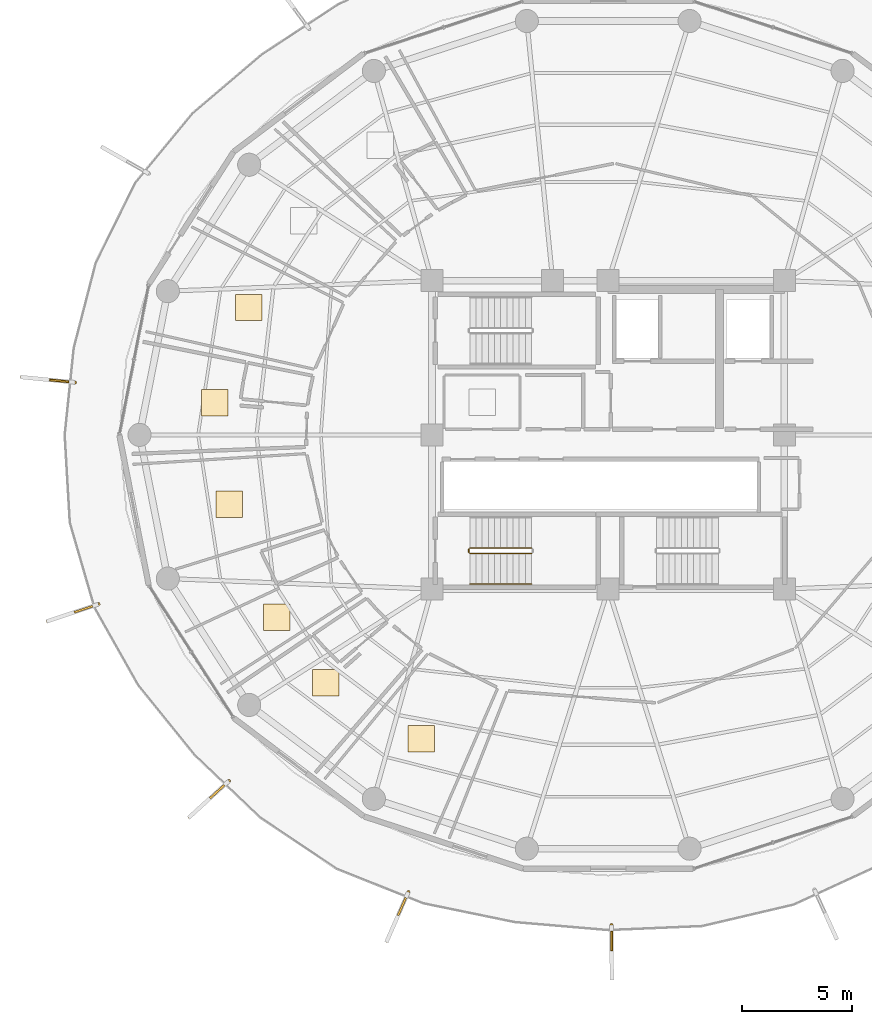
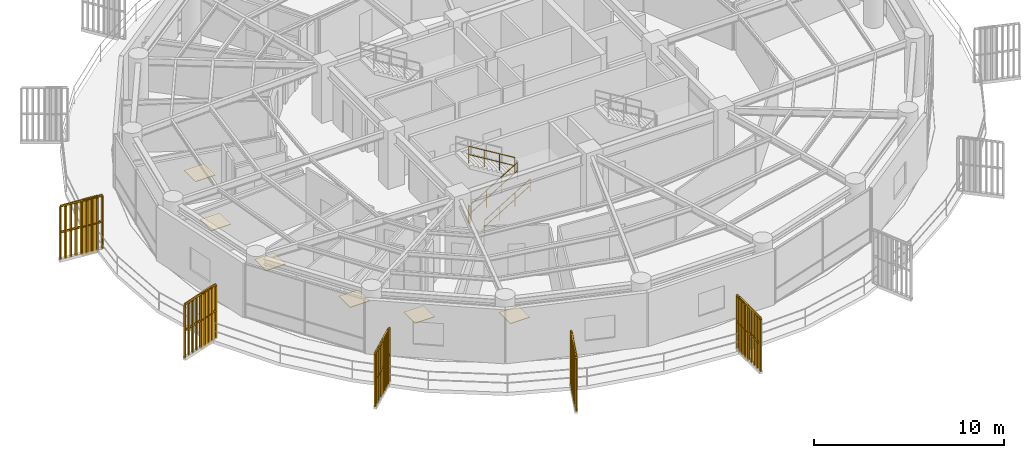
# One storey, part 28 of 31: 9 railings, 6 coverings, 5 shading devices.
"""IFC4 building model written with IfcOpenShell, lengths in metres."""

from ifc_helpers import new_model, si_unit, direction, frame, origin, origin_2d, place, context, subcontext, project, spatial, polyline, rectangle, outline, extrude, source, transform, mapped, material, layer, layer_set, type_object, element, save


model = new_model("IFC4")

# Units and contexts
model_context = context("Model", 3, precision=1e-05, world=origin(), true_north=direction((0.0, 1.0)))
body_context = subcontext(model_context, "Body", "Model", "MODEL_VIEW")
ifc_project = project(units=[si_unit("LENGTHUNIT", "METRE"), si_unit("AREAUNIT", "SQUARE_METRE"), si_unit("VOLUMEUNIT", "CUBIC_METRE"), si_unit("PLANEANGLEUNIT", "RADIAN"), si_unit("MASSUNIT", "GRAM", prefix="KILO")], contexts=[model_context])

# Site, building, storey
site_placement = place(None, origin())
site = spatial("IfcSite", under=ifc_project, at=site_placement, CompositionType="ELEMENT")
building_placement = place(site_placement, origin())
building = spatial("IfcBuilding", under=site, at=building_placement, Name="Kelanora Arch Commons", CompositionType="ELEMENT")
storey_placement = place(building_placement, frame((0.0, 0.0, 230.699951171875)))
storey = spatial("IfcBuildingStorey", under=building, at=storey_placement, Name="L59", CompositionType="ELEMENT", Elevation=230.699951171875)

# Railings
ifc_material_1 = material(Name="Anodised bronze vertical shading fin rib assembly")
railing_type_1 = type_object("IfcRailingType", Name="RAIL-FIN-BRZ", PredefinedType="BALUSTRADE", material=ifc_material_1)
railing_1_placement = place(storey_placement, frame((49.789306640625, 60.38232421875, -0.02001953125)))
element("IfcRailing", 1, at=railing_1_placement, inside=storey, type_object=railing_type_1, Name="Sweeping Bronze Vertical Fin Blade L59-09", PredefinedType="BALUSTRADE", context=body_context, shape_type="SweptSolid", body=[
    extrude(outline(polyline([(0.06982421875, 0.0), (0.034912109375, 0.060546875), (-0.034912109375, 0.060546875), (-0.06982421875, 0.0), (-0.034912109375, -0.060546875), (0.034912109375, -0.060546875), (0.06982421875, 0.0)])), frame((0.0, 0.0, 3.419921875), z_axis=(-0.995186328465, 0.098000875695, 0.0), x_axis=(-0.098000875695, -0.995186328465, 0.0)), (0.0, 0.0, 1.0), 2.428955078125),
    extrude(outline(polyline([(0.06982421875, 0.0), (0.034912109375, 0.060546875), (-0.034912109375, 0.060546875), (-0.06982421875, 0.0), (-0.034912109375, -0.060546875), (0.034912109375, -0.060546875), (0.06982421875, 0.0)])), frame((0.0, 0.0, 1.7451171875), z_axis=(-0.995186328465, 0.098000875695, 0.0), x_axis=(-0.098000875695, -0.995186328465, 0.0)), (0.0, 0.0, 1.0), 2.428955078125),
    extrude(outline(polyline([(0.080078125, 0.0), (0.0400390625, 0.0693359375), (-0.0400390625, 0.0693359375), (-0.080078125, 0.0), (-0.0400390625, -0.0693359375), (0.0400390625, -0.0693359375), (0.080078125, 0.0)])), origin(), (0.0, 0.0, 1.0), 3.35009765625),
    extrude(outline(polyline([(0.080078125, 0.0), (0.0400390625, 0.0693359375), (-0.0400390625, 0.0693359375), (-0.080078125, 0.0), (-0.0400390625, -0.0693359375), (0.0400390625, -0.0693359375), (0.080078125, 0.0)])), frame((-0.30224609375, 0.02978515625, 0.0)), (0.0, 0.0, 1.0), 3.35009765625),
    extrude(outline(polyline([(0.080078125, 0.0), (0.0400390625, 0.0693359375), (-0.0400390625, 0.0693359375), (-0.080078125, 0.0), (-0.0400390625, -0.0693359375), (0.0400390625, -0.0693359375), (0.080078125, 0.0)])), frame((-0.604248046875, 0.0595703125, 0.0)), (0.0, 0.0, 1.0), 3.35009765625),
    extrude(outline(polyline([(0.080078125, 0.0), (0.0400390625, 0.0693359375), (-0.0400390625, 0.0693359375), (-0.080078125, 0.0), (-0.0400390625, -0.0693359375), (0.0400390625, -0.0693359375), (0.080078125, 0.0)])), frame((-0.906494140625, 0.08935546875, 0.0)), (0.0, 0.0, 1.0), 3.35009765625),
    extrude(outline(polyline([(0.080078125, 0.0), (0.0400390625, 0.0693359375), (-0.0400390625, 0.0693359375), (-0.080078125, 0.0), (-0.0400390625, -0.0693359375), (0.0400390625, -0.0693359375), (0.080078125, 0.0)])), frame((-1.20849609375, 0.119140625, 0.0)), (0.0, 0.0, 1.0), 3.35009765625),
    extrude(outline(polyline([(0.080078125, 0.0), (0.0400390625, 0.0693359375), (-0.0400390625, 0.0693359375), (-0.080078125, 0.0), (-0.0400390625, -0.0693359375), (0.0400390625, -0.0693359375), (0.080078125, 0.0)])), frame((-1.5107421875, 0.148681640625, 0.0)), (0.0, 0.0, 1.0), 3.35009765625),
    extrude(outline(polyline([(0.080078125, 0.0), (0.0400390625, 0.0693359375), (-0.0400390625, 0.0693359375), (-0.080078125, 0.0), (-0.0400390625, -0.0693359375), (0.0400390625, -0.0693359375), (0.080078125, 0.0)])), frame((-1.81298828125, 0.178466796875, 0.0)), (0.0, 0.0, 1.0), 3.35009765625),
    extrude(outline(polyline([(0.080078125, 0.0), (0.0400390625, 0.0693359375), (-0.0400390625, 0.0693359375), (-0.080078125, 0.0), (-0.0400390625, -0.0693359375), (0.0400390625, -0.0693359375), (0.080078125, 0.0)])), frame((-2.114990234375, 0.208251953125, 0.0)), (0.0, 0.0, 1.0), 3.35009765625),
    extrude(outline(polyline([(0.080078125, 0.0), (0.0400390625, 0.0693359375), (-0.0400390625, 0.0693359375), (-0.080078125, 0.0), (-0.0400390625, -0.0693359375), (0.0400390625, -0.0693359375), (0.080078125, 0.0)])), frame((-2.417236328125, 0.238037109375, 0.0)), (0.0, 0.0, 1.0), 3.35009765625),
])
railing_2_placement = place(storey_placement, frame((50.85791015625, 50.310791015625, -0.02001953125)))
element("IfcRailing", 2, at=railing_2_placement, inside=storey, type_object=railing_type_1, Name="Sweeping Bronze Vertical Fin Blade L59-10", PredefinedType="BALUSTRADE", context=body_context, shape_type="SweptSolid", body=[
    extrude(outline(polyline([(0.06982421875, 0.0), (0.034912109375, 0.060546875), (-0.034912109375, 0.060546875), (-0.06982421875, 0.0), (-0.034912109375, -0.060546875), (0.034912109375, -0.060546875), (0.06982421875, 0.0)])), frame((0.0, 0.0, 3.419921875), z_axis=(-0.948984418802, -0.315322965976, 0.0), x_axis=(0.315322965976, -0.948984418802, 0.0)), (0.0, 0.0, 1.0), 2.428955078125),
    extrude(outline(polyline([(0.06982421875, 0.0), (0.034912109375, 0.060546875), (-0.034912109375, 0.060546875), (-0.06982421875, 0.0), (-0.034912109375, -0.060546875), (0.034912109375, -0.060546875), (0.06982421875, 0.0)])), frame((0.0, 0.0, 1.7451171875), z_axis=(-0.948984418802, -0.315322965976, 0.0), x_axis=(0.315322965976, -0.948984418802, 0.0)), (0.0, 0.0, 1.0), 2.428955078125),
    extrude(outline(polyline([(0.080078125, 0.0), (0.0400390625, 0.0693359375), (-0.0400390625, 0.0693359375), (-0.080078125, 0.0), (-0.0400390625, -0.0693359375), (0.0400390625, -0.0693359375), (0.080078125, 0.0)])), origin(), (0.0, 0.0, 1.0), 3.35009765625),
    extrude(outline(polyline([(0.080078125, 0.0), (0.0400390625, 0.0693359375), (-0.0400390625, 0.0693359375), (-0.080078125, 0.0), (-0.0400390625, -0.0693359375), (0.0400390625, -0.0693359375), (0.080078125, 0.0)])), frame((-0.2880859375, -0.095703125, 0.0)), (0.0, 0.0, 1.0), 3.35009765625),
    extrude(outline(polyline([(0.080078125, 0.0), (0.0400390625, 0.0693359375), (-0.0400390625, 0.0693359375), (-0.080078125, 0.0), (-0.0400390625, -0.0693359375), (0.0400390625, -0.0693359375), (0.080078125, 0.0)])), frame((-0.576171875, -0.19140625, 0.0)), (0.0, 0.0, 1.0), 3.35009765625),
    extrude(outline(polyline([(0.080078125, 0.0), (0.0400390625, 0.0693359375), (-0.0400390625, 0.0693359375), (-0.080078125, 0.0), (-0.0400390625, -0.0693359375), (0.0400390625, -0.0693359375), (0.080078125, 0.0)])), frame((-0.8642578125, -0.287109375, 0.0)), (0.0, 0.0, 1.0), 3.35009765625),
    extrude(outline(polyline([(0.080078125, 0.0), (0.0400390625, 0.0693359375), (-0.0400390625, 0.0693359375), (-0.080078125, 0.0), (-0.0400390625, -0.0693359375), (0.0400390625, -0.0693359375), (0.080078125, 0.0)])), frame((-1.15234375, -0.3828125, 0.0)), (0.0, 0.0, 1.0), 3.35009765625),
    extrude(outline(polyline([(0.080078125, 0.0), (0.0400390625, 0.0693359375), (-0.0400390625, 0.0693359375), (-0.080078125, 0.0), (-0.0400390625, -0.0693359375), (0.0400390625, -0.0693359375), (0.080078125, 0.0)])), frame((-1.440673828125, -0.478759765625, 0.0)), (0.0, 0.0, 1.0), 3.35009765625),
    extrude(outline(polyline([(0.080078125, 0.0), (0.0400390625, 0.0693359375), (-0.0400390625, 0.0693359375), (-0.080078125, 0.0), (-0.0400390625, -0.0693359375), (0.0400390625, -0.0693359375), (0.080078125, 0.0)])), frame((-1.728759765625, -0.574462890625, 0.0)), (0.0, 0.0, 1.0), 3.35009765625),
    extrude(outline(polyline([(0.080078125, 0.0), (0.0400390625, 0.0693359375), (-0.0400390625, 0.0693359375), (-0.080078125, 0.0), (-0.0400390625, -0.0693359375), (0.0400390625, -0.0693359375), (0.080078125, 0.0)])), frame((-2.016845703125, -0.670166015625, 0.0)), (0.0, 0.0, 1.0), 3.35009765625),
    extrude(outline(polyline([(0.080078125, 0.0), (0.0400390625, 0.0693359375), (-0.0400390625, 0.0693359375), (-0.080078125, 0.0), (-0.0400390625, -0.0693359375), (0.0400390625, -0.0693359375), (0.080078125, 0.0)])), frame((-2.304931640625, -0.765869140625, 0.0)), (0.0, 0.0, 1.0), 3.35009765625),
])
railing_3_placement = place(storey_placement, frame((56.77978515625, 42.286865234375, -0.02001953125)))
element("IfcRailing", 3, at=railing_3_placement, inside=storey, type_object=railing_type_1, Name="Sweeping Bronze Vertical Fin Blade L59-11", PredefinedType="BALUSTRADE", context=body_context, shape_type="SweptSolid", body=[
    extrude(outline(polyline([(0.06982421875, 0.0), (0.034912109375, 0.060546875), (-0.034912109375, 0.060546875), (-0.06982421875, 0.0), (-0.034912109375, -0.060546875), (0.034912109375, -0.060546875), (0.06982421875, 0.0)])), frame((0.0, 0.0, 3.419921875), z_axis=(-0.738683486658, -0.674052450881, 0.0), x_axis=(0.674052450881, -0.738683486658, 0.0)), (0.0, 0.0, 1.0), 2.428955078125),
    extrude(outline(polyline([(0.06982421875, 0.0), (0.034912109375, 0.060546875), (-0.034912109375, 0.060546875), (-0.06982421875, 0.0), (-0.034912109375, -0.060546875), (0.034912109375, -0.060546875), (0.06982421875, 0.0)])), frame((0.0, 0.0, 1.7451171875), z_axis=(-0.738683486658, -0.674052450881, 0.0), x_axis=(0.674052450881, -0.738683486658, 0.0)), (0.0, 0.0, 1.0), 2.428955078125),
    extrude(outline(polyline([(0.080078125, 0.0), (0.0400390625, 0.0693359375), (-0.0400390625, 0.0693359375), (-0.080078125, 0.0), (-0.0400390625, -0.0693359375), (0.0400390625, -0.0693359375), (0.080078125, 0.0)])), origin(), (0.0, 0.0, 1.0), 3.35009765625),
    extrude(outline(polyline([(0.080078125, 0.0), (0.0400390625, 0.0693359375), (-0.0400390625, 0.0693359375), (-0.080078125, 0.0), (-0.0400390625, -0.0693359375), (0.0400390625, -0.0693359375), (0.080078125, 0.0)])), frame((-0.224365234375, -0.20458984375, 0.0)), (0.0, 0.0, 1.0), 3.35009765625),
    extrude(outline(polyline([(0.080078125, 0.0), (0.0400390625, 0.0693359375), (-0.0400390625, 0.0693359375), (-0.080078125, 0.0), (-0.0400390625, -0.0693359375), (0.0400390625, -0.0693359375), (0.080078125, 0.0)])), frame((-0.448486328125, -0.4091796875, 0.0)), (0.0, 0.0, 1.0), 3.35009765625),
    extrude(outline(polyline([(0.080078125, 0.0), (0.0400390625, 0.0693359375), (-0.0400390625, 0.0693359375), (-0.080078125, 0.0), (-0.0400390625, -0.0693359375), (0.0400390625, -0.0693359375), (0.080078125, 0.0)])), frame((-0.6728515625, -0.614013671875, 0.0)), (0.0, 0.0, 1.0), 3.35009765625),
    extrude(outline(polyline([(0.080078125, 0.0), (0.0400390625, 0.0693359375), (-0.0400390625, 0.0693359375), (-0.080078125, 0.0), (-0.0400390625, -0.0693359375), (0.0400390625, -0.0693359375), (0.080078125, 0.0)])), frame((-0.89697265625, -0.818603515625, 0.0)), (0.0, 0.0, 1.0), 3.35009765625),
    extrude(outline(polyline([(0.080078125, 0.0), (0.0400390625, 0.0693359375), (-0.0400390625, 0.0693359375), (-0.080078125, 0.0), (-0.0400390625, -0.0693359375), (0.0400390625, -0.0693359375), (0.080078125, 0.0)])), frame((-1.121337890625, -1.023193359375, 0.0)), (0.0, 0.0, 1.0), 3.35009765625),
    extrude(outline(polyline([(0.080078125, 0.0), (0.0400390625, 0.0693359375), (-0.0400390625, 0.0693359375), (-0.080078125, 0.0), (-0.0400390625, -0.0693359375), (0.0400390625, -0.0693359375), (0.080078125, 0.0)])), frame((-1.345703125, -1.22802734375, 0.0)), (0.0, 0.0, 1.0), 3.35009765625),
    extrude(outline(polyline([(0.080078125, 0.0), (0.0400390625, 0.0693359375), (-0.0400390625, 0.0693359375), (-0.080078125, 0.0), (-0.0400390625, -0.0693359375), (0.0400390625, -0.0693359375), (0.080078125, 0.0)])), frame((-1.56982421875, -1.4326171875, 0.0)), (0.0, 0.0, 1.0), 3.35009765625),
    extrude(outline(polyline([(0.080078125, 0.0), (0.0400390625, 0.0693359375), (-0.0400390625, 0.0693359375), (-0.080078125, 0.0), (-0.0400390625, -0.0693359375), (0.0400390625, -0.0693359375), (0.080078125, 0.0)])), frame((-1.794189453125, -1.63720703125, 0.0)), (0.0, 0.0, 1.0), 3.35009765625),
])
railing_4_placement = place(storey_placement, frame((64.923095703125, 37.243408203125, -0.02001953125)))
element("IfcRailing", 4, at=railing_4_placement, inside=storey, type_object=railing_type_1, Name="Sweeping Bronze Vertical Fin Blade L59-12", PredefinedType="BALUSTRADE", context=body_context, shape_type="SweptSolid", body=[
    extrude(outline(polyline([(0.06982421875, 0.0), (0.034912109375, 0.060546875), (-0.034912109375, 0.060546875), (-0.06982421875, 0.0), (-0.034912109375, -0.060546875), (0.034912109375, -0.060546875), (0.06982421875, 0.0)])), frame((0.0, 0.0, 3.419921875), z_axis=(-0.400702812126, -0.916208085729, 0.0), x_axis=(0.916208085729, -0.400702812126, 0.0)), (0.0, 0.0, 1.0), 2.4287109375),
    extrude(outline(polyline([(0.06982421875, 0.0), (0.034912109375, 0.060546875), (-0.034912109375, 0.060546875), (-0.06982421875, 0.0), (-0.034912109375, -0.060546875), (0.034912109375, -0.060546875), (0.06982421875, 0.0)])), frame((0.0, 0.0, 1.7451171875), z_axis=(-0.400702812126, -0.916208085729, 0.0), x_axis=(0.916208085729, -0.400702812126, 0.0)), (0.0, 0.0, 1.0), 2.4287109375),
    extrude(outline(polyline([(0.080078125, 0.0), (0.0400390625, 0.0693359375), (-0.0400390625, 0.0693359375), (-0.080078125, 0.0), (-0.0400390625, -0.0693359375), (0.0400390625, -0.0693359375), (0.080078125, 0.0)])), origin(), (0.0, 0.0, 1.0), 3.35009765625),
    extrude(outline(polyline([(0.080078125, 0.0), (0.0400390625, 0.0693359375), (-0.0400390625, 0.0693359375), (-0.080078125, 0.0), (-0.0400390625, -0.0693359375), (0.0400390625, -0.0693359375), (0.080078125, 0.0)])), frame((-0.12158203125, -0.278076171875, 0.0)), (0.0, 0.0, 1.0), 3.35009765625),
    extrude(outline(polyline([(0.080078125, 0.0), (0.0400390625, 0.0693359375), (-0.0400390625, 0.0693359375), (-0.080078125, 0.0), (-0.0400390625, -0.0693359375), (0.0400390625, -0.0693359375), (0.080078125, 0.0)])), frame((-0.2431640625, -0.55615234375, 0.0)), (0.0, 0.0, 1.0), 3.35009765625),
    extrude(outline(polyline([(0.080078125, 0.0), (0.0400390625, 0.0693359375), (-0.0400390625, 0.0693359375), (-0.080078125, 0.0), (-0.0400390625, -0.0693359375), (0.0400390625, -0.0693359375), (0.080078125, 0.0)])), frame((-0.364990234375, -0.83447265625, 0.0)), (0.0, 0.0, 1.0), 3.35009765625),
    extrude(outline(polyline([(0.080078125, 0.0), (0.0400390625, 0.0693359375), (-0.0400390625, 0.0693359375), (-0.080078125, 0.0), (-0.0400390625, -0.0693359375), (0.0400390625, -0.0693359375), (0.080078125, 0.0)])), frame((-0.486572265625, -1.112548828125, 0.0)), (0.0, 0.0, 1.0), 3.35009765625),
    extrude(outline(polyline([(0.080078125, 0.0), (0.0400390625, 0.0693359375), (-0.0400390625, 0.0693359375), (-0.080078125, 0.0), (-0.0400390625, -0.0693359375), (0.0400390625, -0.0693359375), (0.080078125, 0.0)])), frame((-0.608154296875, -1.390625, 0.0)), (0.0, 0.0, 1.0), 3.35009765625),
    extrude(outline(polyline([(0.080078125, 0.0), (0.0400390625, 0.0693359375), (-0.0400390625, 0.0693359375), (-0.080078125, 0.0), (-0.0400390625, -0.0693359375), (0.0400390625, -0.0693359375), (0.080078125, 0.0)])), frame((-0.72998046875, -1.6689453125, 0.0)), (0.0, 0.0, 1.0), 3.35009765625),
    extrude(outline(polyline([(0.080078125, 0.0), (0.0400390625, 0.0693359375), (-0.0400390625, 0.0693359375), (-0.080078125, 0.0), (-0.0400390625, -0.0693359375), (0.0400390625, -0.0693359375), (0.080078125, 0.0)])), frame((-0.8515625, -1.947021484375, 0.0)), (0.0, 0.0, 1.0), 3.35009765625),
    extrude(outline(polyline([(0.080078125, 0.0), (0.0400390625, 0.0693359375), (-0.0400390625, 0.0693359375), (-0.080078125, 0.0), (-0.0400390625, -0.0693359375), (0.0400390625, -0.0693359375), (0.080078125, 0.0)])), frame((-0.97314453125, -2.22509765625, 0.0)), (0.0, 0.0, 1.0), 3.35009765625),
])
railing_5_placement = place(storey_placement, frame((74.147705078125, 35.74658203125, -0.02001953125)))
element("IfcRailing", 5, at=railing_5_placement, inside=storey, type_object=railing_type_1, Name="Sweeping Bronze Vertical Fin Blade L59-13", PredefinedType="BALUSTRADE", context=body_context, shape_type="SweptSolid", body=[
    extrude(outline(polyline([(0.06982421875, 0.0), (0.034912109375, 0.060546875), (-0.034912109375, 0.060546875), (-0.06982421875, 0.0), (-0.034912109375, -0.060546875), (0.034912109375, -0.060546875), (0.06982421875, 0.0)])), frame((0.0, 0.0, 3.419921875), z_axis=(0.006634353388, -0.999977992435, 0.0), x_axis=(0.999977992435, 0.006634353388, 0.0)), (0.0, 0.0, 1.0), 2.4287109375),
    extrude(outline(polyline([(0.06982421875, 0.0), (0.034912109375, 0.060546875), (-0.034912109375, 0.060546875), (-0.06982421875, 0.0), (-0.034912109375, -0.060546875), (0.034912109375, -0.060546875), (0.06982421875, 0.0)])), frame((0.0, 0.0, 1.7451171875), z_axis=(0.006634353388, -0.999977992435, 0.0), x_axis=(0.999977992435, 0.006634353388, 0.0)), (0.0, 0.0, 1.0), 2.4287109375),
    extrude(outline(polyline([(0.080078125, 0.0), (0.0400390625, 0.0693359375), (-0.0400390625, 0.0693359375), (-0.080078125, 0.0), (-0.0400390625, -0.0693359375), (0.0400390625, -0.0693359375), (0.080078125, 0.0)])), origin(), (0.0, 0.0, 1.0), 3.35009765625),
    extrude(outline(polyline([(0.080078125, 0.0), (0.0400390625, 0.0693359375), (-0.0400390625, 0.0693359375), (-0.080078125, 0.0), (-0.0400390625, -0.0693359375), (0.0400390625, -0.0693359375), (0.080078125, 0.0)])), frame((0.001953125, -0.3037109375, 0.0)), (0.0, 0.0, 1.0), 3.35009765625),
    extrude(outline(polyline([(0.080078125, 0.0), (0.0400390625, 0.0693359375), (-0.0400390625, 0.0693359375), (-0.080078125, 0.0), (-0.0400390625, -0.0693359375), (0.0400390625, -0.0693359375), (0.080078125, 0.0)])), frame((0.00390625, -0.607177734375, 0.0)), (0.0, 0.0, 1.0), 3.35009765625),
    extrude(outline(polyline([(0.080078125, 0.0), (0.0400390625, 0.0693359375), (-0.0400390625, 0.0693359375), (-0.080078125, 0.0), (-0.0400390625, -0.0693359375), (0.0400390625, -0.0693359375), (0.080078125, 0.0)])), frame((0.006103515625, -0.91064453125, 0.0)), (0.0, 0.0, 1.0), 3.35009765625),
    extrude(outline(polyline([(0.080078125, 0.0), (0.0400390625, 0.0693359375), (-0.0400390625, 0.0693359375), (-0.080078125, 0.0), (-0.0400390625, -0.0693359375), (0.0400390625, -0.0693359375), (0.080078125, 0.0)])), frame((0.008056640625, -1.21435546875, 0.0)), (0.0, 0.0, 1.0), 3.35009765625),
    extrude(outline(polyline([(0.080078125, 0.0), (0.0400390625, 0.0693359375), (-0.0400390625, 0.0693359375), (-0.080078125, 0.0), (-0.0400390625, -0.0693359375), (0.0400390625, -0.0693359375), (0.080078125, 0.0)])), frame((0.010009765625, -1.51806640625, 0.0)), (0.0, 0.0, 1.0), 3.35009765625),
    extrude(outline(polyline([(0.080078125, 0.0), (0.0400390625, 0.0693359375), (-0.0400390625, 0.0693359375), (-0.080078125, 0.0), (-0.0400390625, -0.0693359375), (0.0400390625, -0.0693359375), (0.080078125, 0.0)])), frame((0.01220703125, -1.821533203125, 0.0)), (0.0, 0.0, 1.0), 3.35009765625),
    extrude(outline(polyline([(0.080078125, 0.0), (0.0400390625, 0.0693359375), (-0.0400390625, 0.0693359375), (-0.080078125, 0.0), (-0.0400390625, -0.0693359375), (0.0400390625, -0.0693359375), (0.080078125, 0.0)])), frame((0.01416015625, -2.125, 0.0)), (0.0, 0.0, 1.0), 3.35009765625),
    extrude(outline(polyline([(0.080078125, 0.0), (0.0400390625, 0.0693359375), (-0.0400390625, 0.0693359375), (-0.080078125, 0.0), (-0.0400390625, -0.0693359375), (0.0400390625, -0.0693359375), (0.080078125, 0.0)])), frame((0.01611328125, -2.4287109375, 0.0)), (0.0, 0.0, 1.0), 3.35009765625),
])
ifc_material_2 = material(Name="Painted steel stair well guard", Category="steel")
railing_type_2 = type_object("IfcRailingType", Name="RAIL-STAIR-GRD", PredefinedType="GUARDRAIL", material=ifc_material_2)
railing_6_placement = place(storey_placement, frame((67.719970703125, 52.610107421875, 0.17041015625)))
element("IfcRailing", 6, at=railing_6_placement, inside=storey, type_object=railing_type_2, Name="L59 ST-T3 stair guard 1", PredefinedType="GUARDRAIL", context=body_context, shape_type="SweptSolid", body=[
    extrude(outline(polyline([(0.02392578125, 0.0), (0.011962890625, 0.020751953125), (-0.011962890625, 0.020751953125), (-0.02392578125, 0.0), (-0.011962890625, -0.020751953125), (0.011962890625, -0.020751953125), (0.02392578125, 0.0)])), frame((0.0, 0.0, 1.076171875), z_axis=(0.854169791009, 0.0, 0.51999420009), x_axis=(0.0, 1.0, 0.0)), (0.0, 0.0, 1.0), 3.278076171875),
    extrude(outline(polyline([(0.02392578125, 0.0), (0.011962890625, 0.020751953125), (-0.011962890625, 0.020751953125), (-0.02392578125, 0.0), (-0.011962890625, -0.020751953125), (0.011962890625, -0.020751953125), (0.02392578125, 0.0)])), frame((0.0, 0.0, 0.550048828125), z_axis=(0.854169791009, 0.0, 0.51999420009), x_axis=(0.0, 1.0, 0.0)), (0.0, 0.0, 1.0), 3.278076171875),
    extrude(outline(polyline([(0.02099609375, 0.0), (0.010498046875, 0.01806640625), (-0.010498046875, 0.01806640625), (-0.02099609375, 0.0), (-0.010498046875, -0.01806640625), (0.010498046875, -0.01806640625), (0.02099609375, 0.0)])), origin(), (0.0, 0.0, 1.0), 1.052001953125),
    extrude(outline(polyline([(0.02099609375, 0.0), (0.010498046875, 0.01806640625), (-0.010498046875, 0.01806640625), (-0.02099609375, 0.0), (-0.010498046875, -0.01806640625), (0.010498046875, -0.01806640625), (0.02099609375, 0.0)])), frame((0.933349609375, 0.0, 0.568115234375)), (0.0, 0.0, 1.0), 1.052001953125),
    extrude(outline(polyline([(0.02099609375, 0.0), (0.010498046875, 0.01806640625), (-0.010498046875, 0.01806640625), (-0.02099609375, 0.0), (-0.010498046875, -0.01806640625), (0.010498046875, -0.01806640625), (0.02099609375, 0.0)])), frame((1.86669921875, 0.0, 1.136474609375)), (0.0, 0.0, 1.0), 1.052001953125),
    extrude(outline(polyline([(0.02099609375, 0.0), (0.010498046875, 0.01806640625), (-0.010498046875, 0.01806640625), (-0.02099609375, 0.0), (-0.010498046875, -0.01806640625), (0.010498046875, -0.01806640625), (0.02099609375, 0.0)])), frame((2.800048828125, 0.0, 1.70458984375)), (0.0, 0.0, 1.0), 1.052001953125),
])
railing_7_placement = place(storey_placement, frame((70.52001953125, 52.860107421875, 2.04541015625)))
element("IfcRailing", 7, at=railing_7_placement, inside=storey, type_object=railing_type_2, Name="L59 ST-T3 stair guard 3", PredefinedType="GUARDRAIL", context=body_context, shape_type="SweptSolid", body=[
    extrude(outline(polyline([(0.02392578125, 0.0), (0.011962890625, 0.020751953125), (-0.011962890625, 0.020751953125), (-0.02392578125, 0.0), (-0.011962890625, -0.020751953125), (0.011962890625, -0.020751953125), (0.02392578125, 0.0)])), frame((0.0, 0.0, 1.076171875), z_axis=(-0.854169791009, 0.0, 0.51999420009), x_axis=(0.0, -1.0, 0.0)), (0.0, 0.0, 1.0), 3.278076171875),
    extrude(outline(polyline([(0.02392578125, 0.0), (0.011962890625, 0.020751953125), (-0.011962890625, 0.020751953125), (-0.02392578125, 0.0), (-0.011962890625, -0.020751953125), (0.011962890625, -0.020751953125), (0.02392578125, 0.0)])), frame((0.0, 0.0, 0.550048828125), z_axis=(-0.854169791009, 0.0, 0.51999420009), x_axis=(0.0, -1.0, 0.0)), (0.0, 0.0, 1.0), 3.278076171875),
    extrude(outline(polyline([(0.02099609375, 0.0), (0.010498046875, 0.01806640625), (-0.010498046875, 0.01806640625), (-0.02099609375, 0.0), (-0.010498046875, -0.01806640625), (0.010498046875, -0.01806640625), (0.02099609375, 0.0)])), origin(), (0.0, 0.0, 1.0), 1.052001953125),
    extrude(outline(polyline([(0.02099609375, 0.0), (0.010498046875, 0.01806640625), (-0.010498046875, 0.01806640625), (-0.02099609375, 0.0), (-0.010498046875, -0.01806640625), (0.010498046875, -0.01806640625), (0.02099609375, 0.0)])), frame((-0.933349609375, 0.0, 0.568115234375)), (0.0, 0.0, 1.0), 1.052001953125),
    extrude(outline(polyline([(0.02099609375, 0.0), (0.010498046875, 0.01806640625), (-0.010498046875, 0.01806640625), (-0.02099609375, 0.0), (-0.010498046875, -0.01806640625), (0.010498046875, -0.01806640625), (0.02099609375, 0.0)])), frame((-1.86669921875, 0.0, 1.136474609375)), (0.0, 0.0, 1.0), 1.052001953125),
    extrude(outline(polyline([(0.02099609375, 0.0), (0.010498046875, 0.01806640625), (-0.010498046875, 0.01806640625), (-0.02099609375, 0.0), (-0.010498046875, -0.01806640625), (0.010498046875, -0.01806640625), (0.02099609375, 0.0)])), frame((-2.800048828125, 0.0, 1.70458984375)), (0.0, 0.0, 1.0), 1.052001953125),
])
railing_8_placement = place(storey_placement, frame((67.669921875, 52.659912109375, 0.0)))
element("IfcRailing", 8, at=railing_8_placement, inside=storey, type_object=railing_type_2, Name="L59 ST-T3 stair guard 4", PredefinedType="GUARDRAIL", context=body_context, shape_type="SweptSolid", body=[
    extrude(outline(polyline([(0.02392578125, 0.0), (0.011962890625, 0.020751953125), (-0.011962890625, 0.020751953125), (-0.02392578125, 0.0), (-0.011962890625, -0.020751953125), (0.011962890625, -0.020751953125), (0.02392578125, 0.0)])), frame((0.0, 0.0, 1.076171875), z_axis=(0.0, 1.0, 0.0), x_axis=(-1.0, 0.0, 0.0)), (0.0, 0.0, 1.0), 0.150146484375),
    extrude(outline(polyline([(0.02392578125, 0.0), (0.011962890625, 0.020751953125), (-0.011962890625, 0.020751953125), (-0.02392578125, 0.0), (-0.011962890625, -0.020751953125), (0.011962890625, -0.020751953125), (0.02392578125, 0.0)])), frame((0.0, 0.0, 0.550048828125), z_axis=(0.0, 1.0, 0.0), x_axis=(-1.0, 0.0, 0.0)), (0.0, 0.0, 1.0), 0.150146484375),
    extrude(outline(polyline([(0.02099609375, 0.0), (0.010498046875, 0.01806640625), (-0.010498046875, 0.01806640625), (-0.02099609375, 0.0), (-0.010498046875, -0.01806640625), (0.010498046875, -0.01806640625), (0.02099609375, 0.0)])), origin(), (0.0, 0.0, 1.0), 1.052001953125),
    extrude(outline(polyline([(0.02099609375, 0.0), (0.010498046875, 0.01806640625), (-0.010498046875, 0.01806640625), (-0.02099609375, 0.0), (-0.010498046875, -0.01806640625), (0.010498046875, -0.01806640625), (0.02099609375, 0.0)])), frame((0.0, 0.150146484375, 0.0)), (0.0, 0.0, 1.0), 1.052001953125),
])
ifc_material_3 = material(Name="Brushed stainless steel stair handrail", Category="steel")
railing_type_3 = type_object("IfcRailingType", Name="RAIL-STAIR-HND", PredefinedType="HANDRAIL", material=ifc_material_3)
railing_9_placement = place(storey_placement, frame((67.719970703125, 51.22998046875, 0.17041015625)))
element("IfcRailing", 9, at=railing_9_placement, inside=storey, type_object=railing_type_3, Name="L59 ST-T3 stair handrail 1", PredefinedType="HANDRAIL", context=body_context, shape_type="SweptSolid", body=[
    extrude(outline(polyline([(0.02392578125, 0.0), (0.011962890625, 0.020751953125), (-0.011962890625, 0.020751953125), (-0.02392578125, 0.0), (-0.011962890625, -0.020751953125), (0.011962890625, -0.020751953125), (0.02392578125, 0.0)])), frame((0.0, 0.0, 0.8759765625), z_axis=(0.854169791009, 0.0, 0.51999420009), x_axis=(0.0, 1.0, 0.0)), (0.0, 0.0, 1.0), 3.278076171875),
    extrude(outline(polyline([(0.02392578125, 0.0), (0.011962890625, 0.020751953125), (-0.011962890625, 0.020751953125), (-0.02392578125, 0.0), (-0.011962890625, -0.020751953125), (0.011962890625, -0.020751953125), (0.02392578125, 0.0)])), frame((0.0, 0.0, 0.449951171875), z_axis=(0.854169791009, 0.0, 0.51999420009), x_axis=(0.0, 1.0, 0.0)), (0.0, 0.0, 1.0), 3.278076171875),
    extrude(outline(polyline([(0.02099609375, 0.0), (0.010498046875, 0.01806640625), (-0.010498046875, 0.01806640625), (-0.02099609375, 0.0), (-0.010498046875, -0.01806640625), (0.010498046875, -0.01806640625), (0.02099609375, 0.0)])), origin(), (0.0, 0.0, 1.0), 0.851806640625),
    extrude(outline(polyline([(0.02099609375, 0.0), (0.010498046875, 0.01806640625), (-0.010498046875, 0.01806640625), (-0.02099609375, 0.0), (-0.010498046875, -0.01806640625), (0.010498046875, -0.01806640625), (0.02099609375, 0.0)])), frame((0.933349609375, 0.0, 0.568115234375)), (0.0, 0.0, 1.0), 0.851806640625),
    extrude(outline(polyline([(0.02099609375, 0.0), (0.010498046875, 0.01806640625), (-0.010498046875, 0.01806640625), (-0.02099609375, 0.0), (-0.010498046875, -0.01806640625), (0.010498046875, -0.01806640625), (0.02099609375, 0.0)])), frame((1.86669921875, 0.0, 1.136474609375)), (0.0, 0.0, 1.0), 0.851806640625),
    extrude(outline(polyline([(0.02099609375, 0.0), (0.010498046875, 0.01806640625), (-0.010498046875, 0.01806640625), (-0.02099609375, 0.0), (-0.010498046875, -0.01806640625), (0.010498046875, -0.01806640625), (0.02099609375, 0.0)])), frame((2.800048828125, 0.0, 1.70458984375)), (0.0, 0.0, 1.0), 0.851806640625),
])

# Shading devices
ifc_material_4 = material(Name="Terracotta ceramic-clad extruded aluminium fin", Category="masonry")
shading_device_type = type_object("IfcShadingDeviceType", Name="SHD-FIN-FLARE", PredefinedType="USERDEFINED", material=ifc_material_4)
shared_shape_1 = source(origin(), body_context, "Body", "SweptSolid", [
    extrude(rectangle(XDim=0.8798828125, YDim=0.090087890625, at=origin_2d()), origin(), (0.0, 0.0, 1.0), 3.610107421875),
])
for number, where, z_axis, x_axis, name in (
    (10, (49.072509765625, 60.452880859375, -0.14013671875), (0.0, 0.0, 1.0), (-0.995193276492, 0.097930293706, 0.0), "Sweeping Terracotta Fin L59-09"),
    (11, (50.1748046875, 50.08349609375, -0.14013671875), (0.0, 0.0, 1.0), (-0.948986136133, -0.315317797511, 0.0), "Sweeping Terracotta Fin L59-10"),
    (12, (56.248046875, 41.801513671875, -0.14013671875), (0.0, 0.0, 1.0), (-0.738690671568, -0.674044576967, 0.0), "Sweeping Terracotta Fin L59-11"),
    (13, (64.634521484375, 36.583740234375, -0.14013671875), (0.0, 0.0, 1.0), (-0.400668879095, -0.916222925562, 0.0), "Sweeping Terracotta Fin L59-12"),
    (14, (74.15234375, 35.026611328125, -0.14013671875), (0.0, 0.0, 1.0), (0.006632202536, -0.999978006703, 0.0), "Sweeping Terracotta Fin L59-13"),
):
    element("IfcShadingDevice", number, at=place(storey_placement, frame(where, z_axis=z_axis, x_axis=x_axis)), inside=storey, type_object=shading_device_type, Name=name, ObjectType="FIN", PredefinedType="USERDEFINED", context=body_context, shape_type="MappedRepresentation", body=[
        mapped(shared_shape_1, transform((0.0, 0.0, 0.0), scale=1.0)),
    ])

# Coverings
ifc_material_5 = material(Name="Polished local granite terrazzo flooring", Category="masonry")
ifc_layer = layer(ifc_material_5, 0.030029296875)
ifc_layer_set = layer_set([ifc_layer], Name="Polished local granite terrazzo flooring")
covering_type = type_object("IfcCoveringType", Name="COV-FLR-TER", PredefinedType="FLOORING", material=ifc_layer_set)
shared_shape_2 = source(origin(), body_context, "Body", "SweptSolid", [
    extrude(rectangle(XDim=1.199951171875, YDim=1.199951171875, at=origin_2d()), origin(), (0.0, 0.0, 1.0), 0.030029296875),
])
for number, where, z_axis, x_axis, name in (
    (15, (57.672119140625, 63.783203125, 0.0), (0.0, 0.0, 1.0), (1.0, 0.0, 0.0), "Shared Cluster Kitchen L59-03 Terrazzo Finish"),
    (16, (56.142578125, 59.461669921875, 0.0), (0.0, 0.0, 1.0), (1.0, 0.0, 0.0), "Cluster Bedroom L59-04 Terrazzo Finish"),
    (17, (56.801513671875, 54.85498046875, 0.0), (0.0, 0.0, 1.0), (1.0, 0.0, 0.0), "Quiet Seminar Study Room L59-05 Terrazzo Finish"),
    (18, (58.941162109375, 49.712158203125, 0.0), (0.0, 0.0, 1.0), (1.0, 0.0, 0.0), "Tutorial Study Alcove L59-06 Terrazzo Finish"),
    (19, (61.173583984375, 46.742919921875, 0.0), (0.0, 0.0, 1.0), (1.0, 0.0, 0.0), "Co-Living Studio L59-07 Terrazzo Finish"),
    (20, (65.50244140625, 44.2041015625, 0.0), (0.0, 0.0, 1.0), (1.0, 0.0, 0.0), "Quiet Seminar Study Room L59-08 Terrazzo Finish"),
):
    element("IfcCovering", number, at=place(storey_placement, frame(where, z_axis=z_axis, x_axis=x_axis)), inside=storey, type_object=covering_type, Name=name, PredefinedType="FLOORING", context=body_context, shape_type="MappedRepresentation", body=[
        mapped(shared_shape_2, transform((0.0, 0.0, 0.0), scale=1.0)),
    ])

save(model, "model.ifc")
